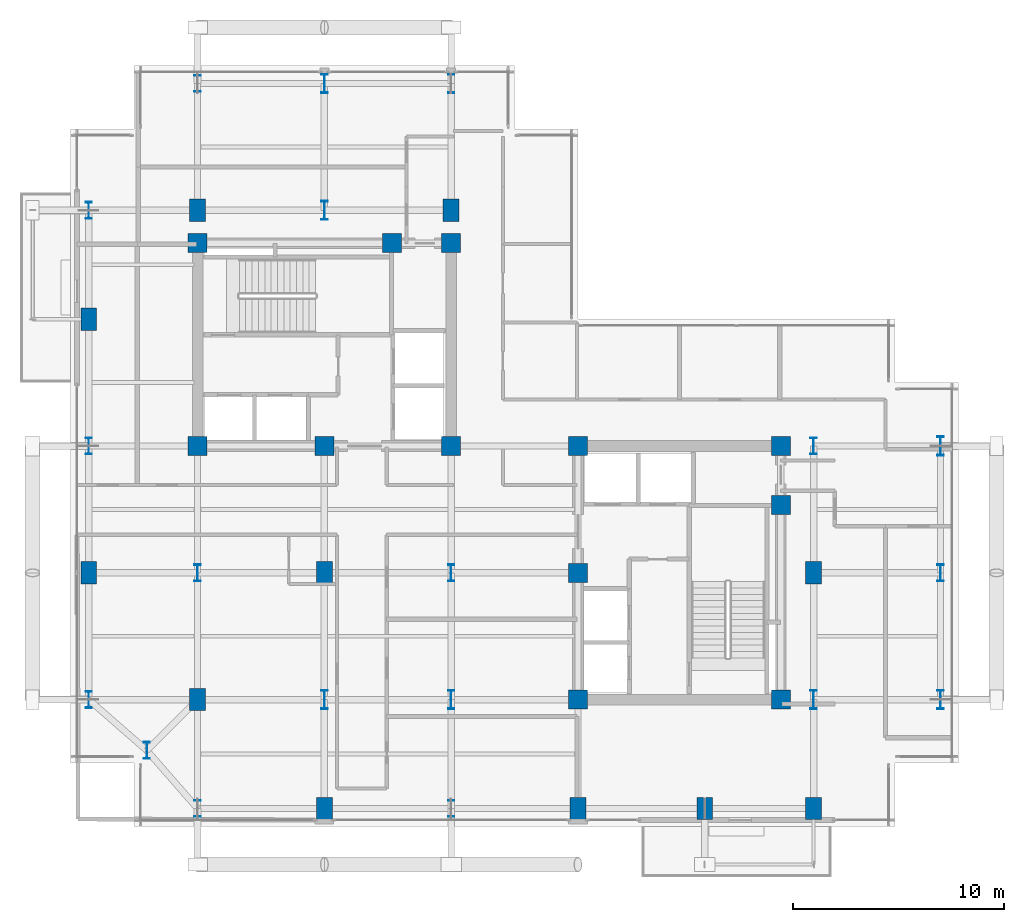
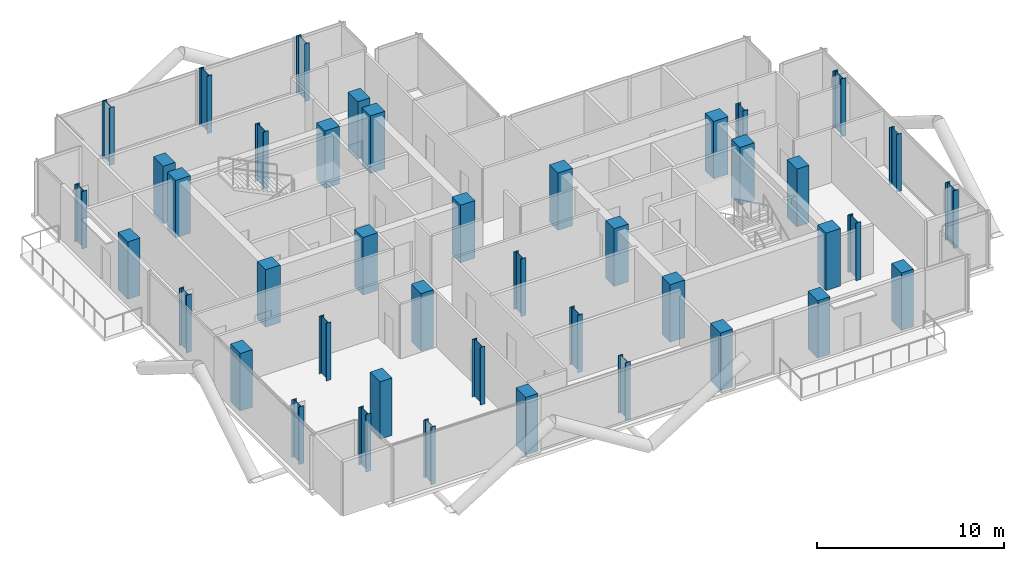
# One storey, part 1 of 25: 42 columns.
"""IFC4 building model written with IfcOpenShell, lengths in metres."""

from ifc_helpers import new_model, si_unit, direction, frame, origin, origin_2d, place, context, subcontext, project, spatial, rectangle, i_section, extrude, material, material_profile, profile_set, type_object, element, save


model = new_model("IFC4")

# Units and contexts
model_context = context("Model", 3, precision=1e-05, world=origin(), true_north=direction((0.0, 1.0)))
body_context = subcontext(model_context, "Body", "Model", "MODEL_VIEW")
ifc_project = project(units=[si_unit("LENGTHUNIT", "METRE"), si_unit("AREAUNIT", "SQUARE_METRE"), si_unit("VOLUMEUNIT", "CUBIC_METRE"), si_unit("PLANEANGLEUNIT", "RADIAN"), si_unit("MASSUNIT", "GRAM", prefix="KILO"), si_unit("THERMODYNAMICTEMPERATUREUNIT", "KELVIN"), si_unit("POWERUNIT", "WATT")], contexts=[model_context])

# Site, building, storey
site_placement = place(None, origin())
site = spatial("IfcSite", under=ifc_project, at=site_placement, CompositionType="ELEMENT")
building_placement = place(site_placement, origin())
building = spatial("IfcBuilding", under=site, at=building_placement, Name="Svarakhadi Broadcast Tower", CompositionType="ELEMENT")
storey_placement = place(building_placement, frame((0.0, 0.0, 227.39990234375)))
storey = spatial("IfcBuildingStorey", under=building, at=storey_placement, Name="L56", CompositionType="ELEMENT", Elevation=227.39990234375)

# Columns
ifc_material_1 = material(Name="Concrete C50/60 (IS 456 M60)", Category="concrete")
ifc_material_profile_1 = material_profile(ifc_material_1, rectangle(XDim=0.75, YDim=1.050048828125, at=origin_2d()), Name="RC 750x1050")
ifc_profile_set_1 = profile_set([ifc_material_profile_1], Name="Concrete C50/60 (IS 456 M60)")
column_type_1 = type_object("IfcColumnType", Name="Col_RC750", PredefinedType="COLUMN", material=ifc_profile_set_1)
for number, where, z_axis, x_axis, name in (
    (1, (0.85009765625, 12.0, 0.0), (0.0, 0.0, 1.0), (1.0, 0.0, 0.0), "L56 Column G04"),
    (2, (0.85009765625, 24.0, 0.0), (0.0, 0.0, 1.0), (1.0, 0.0, 0.0), "L56 Column G06"),
    (3, (6.0, 6.0, 0.0), (0.0, 0.0, 1.0), (1.0, 0.0, 0.0), "L56 Column G12"),
    (4, (6.0, 29.14990234375, 0.0), (0.0, 0.0, 1.0), (1.0, 0.0, 0.0), "L56 Column G14"),
    (5, (12.0, 0.85009765625, 0.0), (0.0, 0.0, 1.0), (1.0, 0.0, 0.0), "L56 Column G18"),
    (6, (12.0, 12.0, 0.0), (0.0, 0.0, 1.0), (1.0, 0.0, 0.0), "L56 Column G20"),
    (7, (18.0, 29.14990234375, 0.0), (0.0, 0.0, 1.0), (1.0, 0.0, 0.0), "L56 Column G28"),
    (8, (24.0, 0.85009765625, 0.0), (0.0, 0.0, 1.0), (1.0, 0.0, 0.0), "L56 Column G32"),
    (9, (30.0, 0.85009765625, 0.0), (0.0, 0.0, 1.0), (1.0, 0.0, 0.0), "L56 Column G36"),
    (10, (35.14990234375, 0.85009765625, 0.0), (0.0, 0.0, 1.0), (1.0, 0.0, 0.0), "L56 Column G38"),
    (11, (35.14990234375, 12.0, 0.0), (0.0, 0.0, 1.0), (1.0, 0.0, 0.0), "L56 Column G40"),
):
    element("IfcColumn", number, at=place(storey_placement, frame(where, z_axis=z_axis, x_axis=x_axis)), inside=storey, type_object=column_type_1, Name=name, PredefinedType="COLUMN", context=body_context, shape_type="SweptSolid", body=[
        extrude(rectangle(XDim=0.75, YDim=1.050048828125, at=origin_2d()), origin(), (0.0, 0.0, 1.0), 3.75),
    ])
ifc_material_profile_2 = material_profile(ifc_material_1, rectangle(XDim=0.89990234375, YDim=0.89990234375, at=origin_2d()), Name="RC 900x900")
ifc_profile_set_2 = profile_set([ifc_material_profile_2], Name="Concrete C50/60 (IS 456 M60)")
column_type_2 = type_object("IfcColumnType", Name="Col_RC900", PredefinedType="COLUMN", material=ifc_profile_set_2)
for number, where, z_axis, x_axis, name in (
    (12, (6.0, 18.0, 0.0), (0.0, 0.0, 1.0), (1.0, 0.0, 0.0), "L56 Column CW1"),
    (13, (12.0, 18.0, 0.0), (0.0, 0.0, 1.0), (1.0, 0.0, 0.0), "L56 Column CW2"),
    (14, (18.0, 18.0, 0.0), (0.0, 0.0, 1.0), (1.0, 0.0, 0.0), "L56 Column CW3"),
    (15, (6.0, 27.60009765625, 0.0), (0.0, 0.0, 1.0), (1.0, 0.0, 0.0), "L56 Column CW4"),
    (16, (15.199951171875, 27.60009765625, 0.0), (0.0, 0.0, 1.0), (1.0, 0.0, 0.0), "L56 Column CW5"),
    (17, (18.0, 27.60009765625, 0.0), (0.0, 0.0, 1.0), (1.0, 0.0, 0.0), "L56 Column CW6"),
    (18, (24.0, 6.0, 0.0), (0.0, 0.0, 1.0), (1.0, 0.0, 0.0), "L56 Column CE1"),
    (19, (24.0, 12.0, 0.0), (0.0, 0.0, 1.0), (1.0, 0.0, 0.0), "L56 Column CE2"),
    (20, (24.0, 18.0, 0.0), (0.0, 0.0, 1.0), (1.0, 0.0, 0.0), "L56 Column CE3"),
    (21, (33.60009765625, 6.0, 0.0), (0.0, 0.0, 1.0), (1.0, 0.0, 0.0), "L56 Column CE4"),
    (22, (33.60009765625, 15.199951171875, 0.0), (0.0, 0.0, 1.0), (1.0, 0.0, 0.0), "L56 Column CE5"),
    (23, (33.60009765625, 18.0, 0.0), (0.0, 0.0, 1.0), (1.0, 0.0, 0.0), "L56 Column CE6"),
):
    element("IfcColumn", number, at=place(storey_placement, frame(where, z_axis=z_axis, x_axis=x_axis)), inside=storey, type_object=column_type_2, Name=name, PredefinedType="COLUMN", context=body_context, shape_type="SweptSolid", body=[
        extrude(rectangle(XDim=0.89990234375, YDim=0.89990234375, at=origin_2d()), origin(), (0.0, 0.0, 1.0), 3.75),
    ])
ifc_material_2 = material(Name="Steel S460ML (IS 2062 E450BR)", Category="steel")
ifc_material_profile_3 = material_profile(ifc_material_2, i_section(OverallWidth=0.300048828125, OverallDepth=0.800048828125, WebThickness=0.017578125, FlangeThickness=0.032958984375, FilletRadius=0.030029296875, at=origin_2d()), Name="WPB 800x300x262")
ifc_profile_set_3 = profile_set([ifc_material_profile_3], Name="Steel S460ML (IS 2062 E450BR)")
column_type_3 = type_object("IfcColumnType", Name="Col_WPB800", PredefinedType="COLUMN", material=ifc_profile_set_3)
for number, where, z_axis, x_axis, name in (
    (24, (3.60009765625, 3.60009765625, 0.0), (0.0, 0.0, 1.0), (1.0, 0.0, 0.0), "L56 Column G01"),
    (25, (0.85009765625, 6.0, 0.0), (0.0, 0.0, 1.0), (1.0, 0.0, 0.0), "L56 Column G03"),
    (26, (0.85009765625, 18.0, 0.0), (0.0, 0.0, 1.0), (1.0, 0.0, 0.0), "L56 Column G05"),
    (27, (0.85009765625, 29.14990234375, 0.0), (0.0, 0.0, 1.0), (1.0, 0.0, 0.0), "L56 Column G07"),
    (28, (6.0, 0.85009765625, 0.0), (0.0, 0.0, 1.0), (1.0, 0.0, 0.0), "L56 Column G11"),
    (29, (6.0, 12.0, 0.0), (0.0, 0.0, 1.0), (1.0, 0.0, 0.0), "L56 Column G13"),
    (30, (6.0, 35.14990234375, 0.0), (0.0, 0.0, 1.0), (1.0, 0.0, 0.0), "L56 Column G15"),
    (31, (18.0, 0.85009765625, 0.0), (0.0, 0.0, 1.0), (1.0, 0.0, 0.0), "L56 Column G25"),
    (32, (18.0, 12.0, 0.0), (0.0, 0.0, 1.0), (1.0, 0.0, 0.0), "L56 Column G27"),
    (33, (35.14990234375, 18.0, 0.0), (0.0, 0.0, 1.0), (1.0, 0.0, 0.0), "L56 Column G41"),
    (34, (41.14990234375, 12.0, 0.0), (0.0, 0.0, 1.0), (1.0, 0.0, 0.0), "L56 Column G45"),
):
    element("IfcColumn", number, at=place(storey_placement, frame(where, z_axis=z_axis, x_axis=x_axis)), inside=storey, type_object=column_type_3, Name=name, PredefinedType="COLUMN", context=body_context, shape_type="SweptSolid", body=[
        extrude(i_section(OverallWidth=0.300048828125, OverallDepth=0.800048828125, WebThickness=0.017578125, FlangeThickness=0.032958984375, FilletRadius=0.030029296875, at=origin_2d()), origin(), (0.0, 0.0, 1.0), 3.75),
    ])
ifc_material_profile_4 = material_profile(ifc_material_2, i_section(OverallWidth=0.300048828125, OverallDepth=0.89990234375, WebThickness=0.0185546875, FlangeThickness=0.034912109375, FilletRadius=0.030029296875, at=origin_2d()), Name="WPB 900x300x291")
ifc_profile_set_4 = profile_set([ifc_material_profile_4], Name="Steel S460ML (IS 2062 E450BR)")
column_type_4 = type_object("IfcColumnType", Name="Col_WPB900", PredefinedType="COLUMN", material=ifc_profile_set_4)
for number, where, z_axis, x_axis, name in (
    (35, (12.0, 6.0, 0.0), (0.0, 0.0, 1.0), (1.0, 0.0, 0.0), "L56 Column G19"),
    (36, (12.0, 29.14990234375, 0.0), (0.0, 0.0, 1.0), (1.0, 0.0, 0.0), "L56 Column G21"),
    (37, (12.0, 35.14990234375, 0.0), (0.0, 0.0, 1.0), (1.0, 0.0, 0.0), "L56 Column G22"),
    (38, (18.0, 6.0, 0.0), (0.0, 0.0, 1.0), (1.0, 0.0, 0.0), "L56 Column G26"),
    (39, (18.0, 35.14990234375, 0.0), (0.0, 0.0, 1.0), (1.0, 0.0, 0.0), "L56 Column G29"),
    (40, (35.14990234375, 6.0, 0.0), (0.0, 0.0, 1.0), (1.0, 0.0, 0.0), "L56 Column G39"),
    (41, (41.14990234375, 6.0, 0.0), (0.0, 0.0, 1.0), (1.0, 0.0, 0.0), "L56 Column G44"),
    (42, (41.14990234375, 18.0, 0.0), (0.0, 0.0, 1.0), (1.0, 0.0, 0.0), "L56 Column G46"),
):
    element("IfcColumn", number, at=place(storey_placement, frame(where, z_axis=z_axis, x_axis=x_axis)), inside=storey, type_object=column_type_4, Name=name, PredefinedType="COLUMN", context=body_context, shape_type="SweptSolid", body=[
        extrude(i_section(OverallWidth=0.300048828125, OverallDepth=0.89990234375, WebThickness=0.0185546875, FlangeThickness=0.034912109375, FilletRadius=0.030029296875, at=origin_2d()), origin(), (0.0, 0.0, 1.0), 3.75),
    ])

save(model, "model.ifc")
